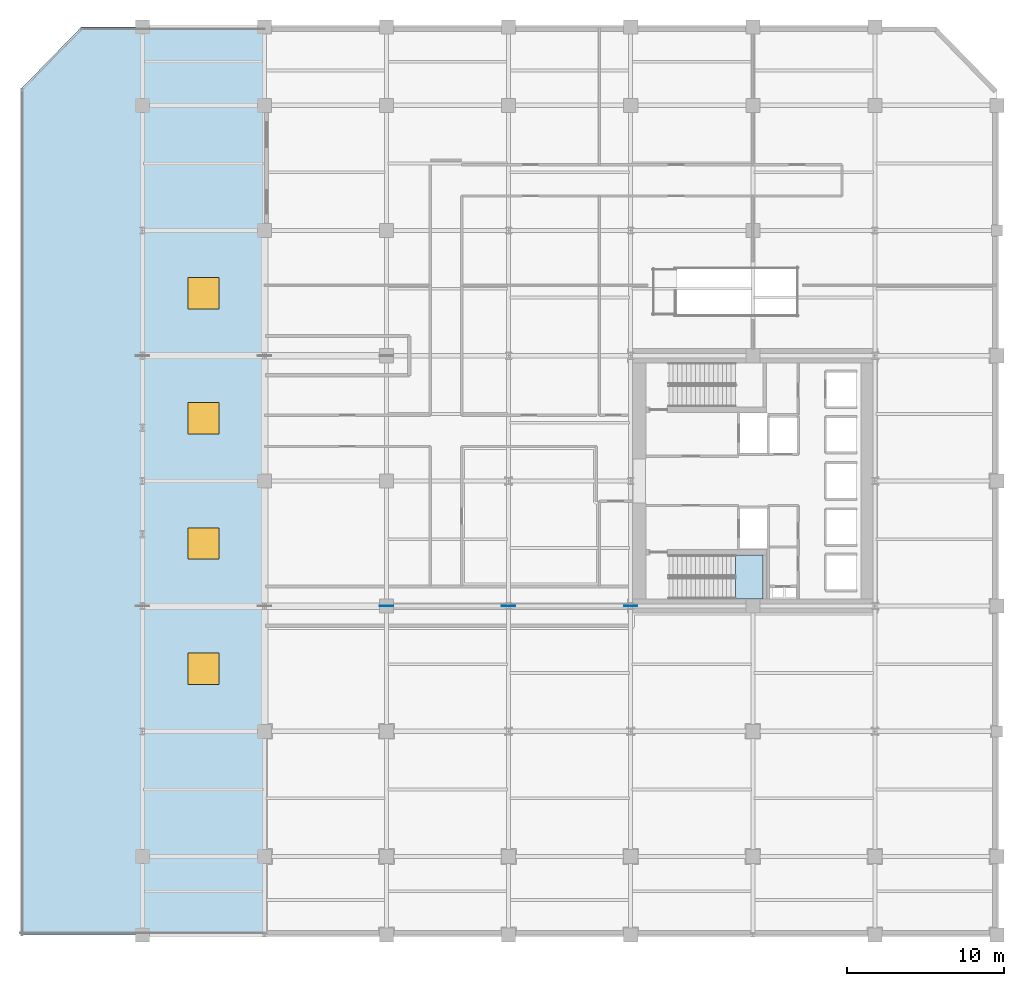
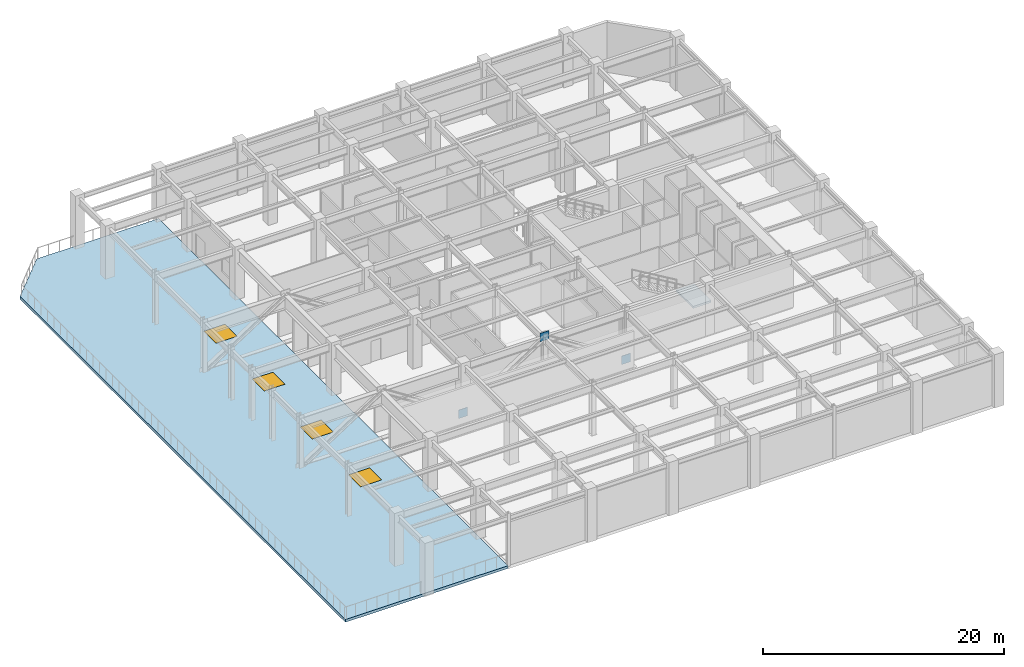
# One storey, part 6 of 14: 4 windows, 3 plates, 2 slabs, 4 openings, 1 element without a shape of its own.
"""IFC4 building model written with IfcOpenShell, lengths in metres."""

from ifc_helpers import new_model, si_unit, direction, frame, origin, origin_2d, place, context, subcontext, project, spatial, polyline, rectangle, outline, extrude, material, layer, layer_set, type_object, element, fill, aggregate, save


model = new_model("IFC4")

# Units and contexts
model_context = context("Model", 3, precision=1e-05, world=origin(), true_north=direction((0.0, 1.0)))
body_context = subcontext(model_context, "Body", "Model", "MODEL_VIEW")
ifc_project = project(units=[si_unit("LENGTHUNIT", "METRE"), si_unit("AREAUNIT", "SQUARE_METRE"), si_unit("VOLUMEUNIT", "CUBIC_METRE"), si_unit("PLANEANGLEUNIT", "RADIAN"), si_unit("MASSUNIT", "GRAM", prefix="KILO")], contexts=[model_context])

# Site, building, storey
site_placement = place(None, origin())
site = spatial("IfcSite", under=ifc_project, at=site_placement, CompositionType="ELEMENT")
building_placement = place(site_placement, origin())
building = spatial("IfcBuilding", under=site, at=building_placement, Name="Veymaron Broadcast Tower", CompositionType="ELEMENT")
storey_placement = place(building_placement, frame((0.0, 0.0, 27.0)))
storey = spatial("IfcBuildingStorey", under=building, at=storey_placement, Name="L05", CompositionType="ELEMENT", Elevation=27.0)

# Plates
ifc_material_1 = material(Name="Structural steel ASTM A913 Gr 65", Category="steel")
ifc_layer_1 = layer(ifc_material_1, 0.044921875)
ifc_layer_set_1 = layer_set([ifc_layer_1], Name="Structural steel ASTM A913 Gr 65")
plate_type = type_object("IfcPlateType", Name="PLT-NODE-TN1", PredefinedType="SHEET", material=ifc_layer_set_1)
for number, where, z_axis, x_axis, name in (
    (1, (23.39990234375, 16.0, -0.405029296875), (0.0, 0.0, 1.0), (1.0, 0.0, 0.0), "L05 Studio Transfer Truss TT1 gusset node TN1"),
    (2, (31.199951171875, 16.0, 4.635009765625), (0.0, 0.0, 1.0), (1.0, 0.0, 0.0), "L05 Studio Transfer Truss TT1 gusset node TN1"),
    (3, (39.0, 16.0, -0.405029296875), (0.0, 0.0, 1.0), (1.0, 0.0, 0.0), "L05 Studio Transfer Truss TT1 gusset node TN1"),
):
    element("IfcPlate", number, at=place(storey_placement, frame(where, z_axis=z_axis, x_axis=x_axis)), inside=storey, type_object=plate_type, Name=name, PredefinedType="SHEET", context=body_context, shape_type="SweptSolid", body=[
        extrude(rectangle(XDim=0.85009765625, YDim=0.044921875, at=origin_2d()), origin(), (0.0, 0.0, 1.0), 0.85009765625),
    ])

# Slab, openings, windows
ifc_material_2 = material(Name="Concrete C40/50", Category="concrete")
ifc_layer_2 = layer(ifc_material_2, 0.280029296875)
ifc_layer_set_2 = layer_set([ifc_layer_2], Name="Concrete C40/50")
slab_type_1 = type_object("IfcSlabType", Name="SLAB-ROOF-300", PredefinedType="ROOF", material=ifc_layer_set_2)
slab_1_placement = place(storey_placement, frame((0.0, 0.0, -0.280029296875)))
slab_1 = element("IfcSlab", 4, at=slab_1_placement, inside=storey, type_object=slab_type_1, Name="L05 outdoor sky terrace slab", PredefinedType="ROOF", context=body_context, shape_type="SweptSolid", body=[
    extrude(outline(polyline([(15.60009765625, -5.0), (15.60009765625, 53.0), (3.89990234375, 53.0), (0.0, 49.0), (0.0, -5.0), (15.60009765625, -5.0)])), origin(), (0.0, 0.0, 1.0), 0.280029296875),
])
opening_1_placement = place(slab_1_placement, frame((11.699951171875, 12.0, -0.010009765625)))
opening_1 = element("IfcOpeningElement", 5, at=opening_1_placement, cuts=slab_1, Name="Opening SK1", PredefinedType="OPENING", context=body_context, shape_type="SweptSolid", body=[
    extrude(rectangle(XDim=2.0, YDim=2.0, at=origin_2d()), origin(), (0.0, 0.0, 1.0), 0.300048828125),
])
opening_2_placement = place(slab_1_placement, frame((11.699951171875, 20.0, -0.010009765625)))
opening_2 = element("IfcOpeningElement", 6, at=opening_2_placement, cuts=slab_1, Name="Opening SK1", PredefinedType="OPENING", context=body_context, shape_type="SweptSolid", body=[
    extrude(rectangle(XDim=2.0, YDim=2.0, at=origin_2d()), origin(), (0.0, 0.0, 1.0), 0.300048828125),
])
opening_3_placement = place(slab_1_placement, frame((11.699951171875, 28.0, -0.010009765625)))
opening_3 = element("IfcOpeningElement", 7, at=opening_3_placement, cuts=slab_1, Name="Opening SK1", PredefinedType="OPENING", context=body_context, shape_type="SweptSolid", body=[
    extrude(rectangle(XDim=2.0, YDim=2.0, at=origin_2d()), origin(), (0.0, 0.0, 1.0), 0.300048828125),
])
opening_4_placement = place(slab_1_placement, frame((11.699951171875, 36.0, -0.010009765625)))
opening_4 = element("IfcOpeningElement", 8, at=opening_4_placement, cuts=slab_1, Name="Opening SK1", PredefinedType="OPENING", context=body_context, shape_type="SweptSolid", body=[
    extrude(rectangle(XDim=2.0, YDim=2.0, at=origin_2d()), origin(), (0.0, 0.0, 1.0), 0.300048828125),
])
ifc_material_3 = material(Name="Thermally broken aluminium and laminated safety skylight IGU", Category="aluminium")
window_type = type_object("IfcWindowType", Name="WIN-SKY-2000", PartitioningType="SINGLE_PANEL", PredefinedType="SKYLIGHT", material=ifc_material_3)
window_1_placement = place(slab_1_placement, frame((11.699951171875, 12.0, 0.22998046875)))
window_1 = element("IfcWindow", 9, at=window_1_placement, inside=storey, type_object=window_type, Name="L05 broadcast concourse skylight 1", OverallHeight=2.0, OverallWidth=2.0, PartitioningType="SINGLE_PANEL", PredefinedType="SKYLIGHT", context=body_context, shape_type="SweptSolid", body=[
    extrude(rectangle(XDim=2.0, YDim=2.0, at=origin_2d()), origin(), (0.0, 0.0, 1.0), 0.050048828125),
])
fill(opening_1, window_1)
window_2_placement = place(slab_1_placement, frame((11.699951171875, 20.0, 0.22998046875)))
window_2 = element("IfcWindow", 10, at=window_2_placement, inside=storey, type_object=window_type, Name="L05 broadcast concourse skylight 2", OverallHeight=2.0, OverallWidth=2.0, PartitioningType="SINGLE_PANEL", PredefinedType="SKYLIGHT", context=body_context, shape_type="SweptSolid", body=[
    extrude(rectangle(XDim=2.0, YDim=2.0, at=origin_2d()), origin(), (0.0, 0.0, 1.0), 0.050048828125),
])
fill(opening_2, window_2)
window_3_placement = place(slab_1_placement, frame((11.699951171875, 28.0, 0.22998046875)))
window_3 = element("IfcWindow", 11, at=window_3_placement, inside=storey, type_object=window_type, Name="L05 broadcast concourse skylight 3", OverallHeight=2.0, OverallWidth=2.0, PartitioningType="SINGLE_PANEL", PredefinedType="SKYLIGHT", context=body_context, shape_type="SweptSolid", body=[
    extrude(rectangle(XDim=2.0, YDim=2.0, at=origin_2d()), origin(), (0.0, 0.0, 1.0), 0.050048828125),
])
fill(opening_3, window_3)
window_4_placement = place(slab_1_placement, frame((11.699951171875, 36.0, 0.22998046875)))
window_4 = element("IfcWindow", 12, at=window_4_placement, inside=storey, type_object=window_type, Name="L05 broadcast concourse skylight 4", OverallHeight=2.0, OverallWidth=2.0, PartitioningType="SINGLE_PANEL", PredefinedType="SKYLIGHT", context=body_context, shape_type="SweptSolid", body=[
    extrude(rectangle(XDim=2.0, YDim=2.0, at=origin_2d()), origin(), (0.0, 0.0, 1.0), 0.050048828125),
])
fill(opening_4, window_4)

# Stair, slab
ifc_material_4 = material(Name="Concrete C50/60", Category="concrete")
stair_type = type_object("IfcStairType", Name="STAIR-CORE-2", PredefinedType="HALF_TURN_STAIR", material=ifc_material_4)
stair_placement = place(storey_placement, origin())
stair = element("IfcStair", 13, at=stair_placement, inside=storey, type_object=stair_type, Name="L05 South protected dog-leg exit stair ST2", PredefinedType="HALF_TURN_STAIR")
ifc_layer_3 = layer(ifc_material_4, 0.199951171875)
ifc_layer_set_3 = layer_set([ifc_layer_3], Name="Concrete C50/60")
slab_type_2 = type_object("IfcSlabType", Name="SLAB-STAIR-LDG", PredefinedType="LANDING", material=ifc_layer_set_3)
slab_2_placement = place(storey_placement, frame((0.0, 0.0, 2.5)))
slab_2 = element("IfcSlab", 14, at=slab_2_placement, type_object=slab_type_2, Name="ST2 landing 1", PredefinedType="LANDING", context=body_context, shape_type="SweptSolid", body=[
    extrude(outline(polyline([(45.705078125, 16.449951171875), (47.43994140625, 16.449951171875), (47.43994140625, 19.27001953125), (45.705078125, 19.27001953125), (45.705078125, 16.449951171875)])), origin(), (0.0, 0.0, 1.0), 0.199951171875),
])
aggregate(stair, [slab_2])

save(model, "model.ifc")
